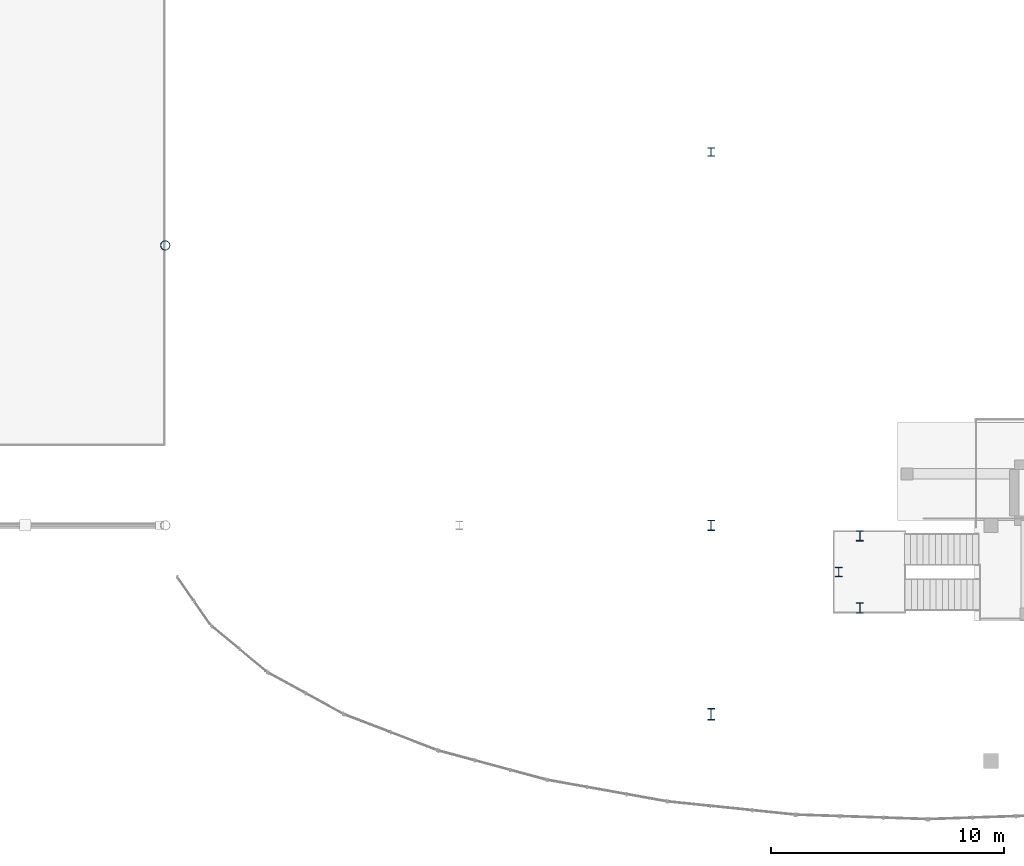
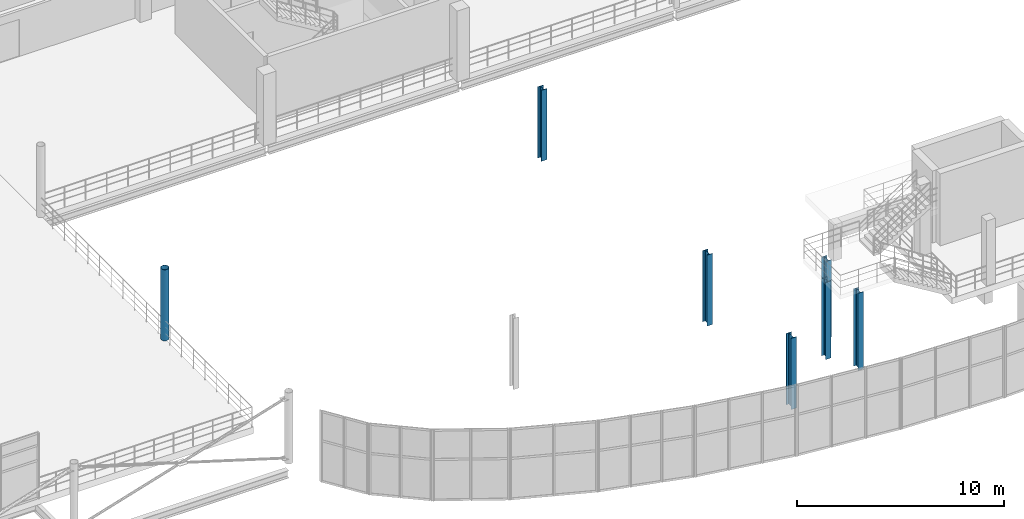
# One storey, part 6 of 89: 7 columns.
"""IFC4 building model written with IfcOpenShell, lengths in metres."""

from ifc_helpers import new_model, si_unit, direction, frame, origin, origin_2d, place, context, subcontext, project, spatial, hollow_circle, i_section, extrude, material, material_profile, profile_set, type_object, element, save


model = new_model("IFC4")

# Units and contexts
model_context = context("Model", 3, precision=1e-05, world=origin(), true_north=direction((0.0, 1.0)))
body_context = subcontext(model_context, "Body", "Model", "MODEL_VIEW")
ifc_project = project(units=[si_unit("LENGTHUNIT", "METRE"), si_unit("AREAUNIT", "SQUARE_METRE"), si_unit("VOLUMEUNIT", "CUBIC_METRE"), si_unit("PLANEANGLEUNIT", "RADIAN"), si_unit("MASSUNIT", "GRAM", prefix="KILO"), si_unit("THERMODYNAMICTEMPERATUREUNIT", "KELVIN"), si_unit("POWERUNIT", "WATT")], contexts=[model_context])

# Site, building, storey
site_placement = place(None, origin())
site = spatial("IfcSite", under=ifc_project, at=site_placement, CompositionType="ELEMENT")
building_placement = place(site_placement, origin())
building = spatial("IfcBuilding", under=site, at=building_placement, Name="Solmara Park Aquatics Centre", CompositionType="ELEMENT")
storey_placement = place(building_placement, frame((0.0, 0.0, 5.39990234375)))
storey = spatial("IfcBuildingStorey", under=building, at=storey_placement, Name="L01", CompositionType="ELEMENT", Elevation=5.39990234375)

# Columns
ifc_material = material(Name="Structural Steel S355", Category="steel")
ifc_material_profile_1 = material_profile(ifc_material, hollow_circle(Radius=0.203125, WallThickness=0.01611328125, at=origin_2d()), Name="CHS 406.4x16")
ifc_profile_set_1 = profile_set([ifc_material_profile_1], Name="Structural Steel S355")
column_type_1 = type_object("IfcColumnType", Name="STR-COL-CHS406", PredefinedType="COLUMN", material=ifc_profile_set_1)
column_1_placement = place(storey_placement, frame((96.60009765625, 24.60009765625, 0.0), z_axis=(0.0, 0.0, 1.0), x_axis=(1.0, 0.0, 0.0)))
element("IfcColumn", 1, at=column_1_placement, inside=storey, type_object=column_type_1, Name="Column L01-0385", PredefinedType="COLUMN", context=body_context, shape_type="SweptSolid", body=[
    extrude(hollow_circle(Radius=0.203125, WallThickness=0.01611328125, at=origin_2d()), origin(), (0.0, 0.0, 1.0), 4.2001953125),
])
ifc_material_profile_2 = material_profile(ifc_material, i_section(OverallWidth=0.300048828125, OverallDepth=0.39990234375, WebThickness=0.013427734375, FlangeThickness=0.02392578125, FilletRadius=0.027099609375, at=origin_2d()), Name="HEB 400")
ifc_profile_set_2 = profile_set([ifc_material_profile_2], Name="Structural Steel S355")
column_type_2 = type_object("IfcColumnType", Name="STR-COL-HEB400", PredefinedType="COLUMN", material=ifc_profile_set_2)
column_2_placement = place(storey_placement, frame((125.469970703125, 10.60009765625, -2.699951171875), z_axis=(0.0, 0.0, 1.0), x_axis=(1.0, 0.0, 0.0)))
element("IfcColumn", 2, at=column_2_placement, inside=storey, type_object=column_type_2, Name="Diving Tower Platform Stair DT-02 Half-Landing Support Column M", PredefinedType="COLUMN", context=body_context, shape_type="SweptSolid", body=[
    extrude(i_section(OverallWidth=0.300048828125, OverallDepth=0.39990234375, WebThickness=0.013427734375, FlangeThickness=0.02392578125, FilletRadius=0.027099609375, at=origin_2d()), origin(), (0.0, 0.0, 1.0), 4.56005859375),
])
ifc_material_profile_3 = material_profile(ifc_material, i_section(OverallWidth=0.300048828125, OverallDepth=0.449951171875, WebThickness=0.013916015625, FlangeThickness=0.02587890625, FilletRadius=0.027099609375, at=origin_2d()), Name="HEB 450")
ifc_profile_set_3 = profile_set([ifc_material_profile_3], Name="Structural Steel S355")
column_type_3 = type_object("IfcColumnType", Name="STR-COL-HEB450", PredefinedType="COLUMN", material=ifc_profile_set_3)
column_3_placement = place(storey_placement, frame((120.0, 12.60009765625, 0.0), z_axis=(0.0, 0.0, 1.0), x_axis=(1.0, 0.0, 0.0)))
element("IfcColumn", 3, at=column_3_placement, inside=storey, type_object=column_type_3, Name="Column L01-0407", PredefinedType="COLUMN", context=body_context, shape_type="SweptSolid", body=[
    extrude(i_section(OverallWidth=0.300048828125, OverallDepth=0.449951171875, WebThickness=0.013916015625, FlangeThickness=0.02587890625, FilletRadius=0.027099609375, at=origin_2d()), origin(), (0.0, 0.0, 1.0), 4.2001953125),
])
for number, where, z_axis, x_axis, name in (
    (4, (126.3798828125, 9.050048828125, -2.699951171875), (0.0, 0.0, 1.0), (1.0, 0.0, 0.0), "Diving Tower Platform Stair DT-02 Half-Landing Support Column S"),
    (5, (126.3798828125, 12.14990234375, -2.699951171875), (0.0, 0.0, 1.0), (1.0, 0.0, 0.0), "Diving Tower Platform Stair DT-02 Half-Landing Support Column N"),
):
    element("IfcColumn", number, at=place(storey_placement, frame(where, z_axis=z_axis, x_axis=x_axis)), inside=storey, type_object=column_type_3, Name=name, PredefinedType="COLUMN", context=body_context, shape_type="SweptSolid", body=[
        extrude(i_section(OverallWidth=0.300048828125, OverallDepth=0.449951171875, WebThickness=0.013916015625, FlangeThickness=0.02587890625, FilletRadius=0.027099609375, at=origin_2d()), origin(), (0.0, 0.0, 1.0), 4.56005859375),
    ])
ifc_material_profile_4 = material_profile(ifc_material, i_section(OverallWidth=0.300048828125, OverallDepth=0.5, WebThickness=0.014404296875, FlangeThickness=0.028076171875, FilletRadius=0.027099609375, at=origin_2d()), Name="HEB 500")
ifc_profile_set_4 = profile_set([ifc_material_profile_4], Name="Structural Steel S355")
column_type_4 = type_object("IfcColumnType", Name="STR-COL-HEB500", PredefinedType="COLUMN", material=ifc_profile_set_4)
column_4_placement = place(storey_placement, frame((120.0, 4.5, 0.0), z_axis=(0.0, 0.0, 1.0), x_axis=(1.0, 0.0, 0.0)))
element("IfcColumn", 6, at=column_4_placement, inside=storey, type_object=column_type_4, Name="Column L01-0406", PredefinedType="COLUMN", context=body_context, shape_type="SweptSolid", body=[
    extrude(i_section(OverallWidth=0.300048828125, OverallDepth=0.5, WebThickness=0.014404296875, FlangeThickness=0.028076171875, FilletRadius=0.027099609375, at=origin_2d()), origin(), (0.0, 0.0, 1.0), 4.2001953125),
])
ifc_material_profile_5 = material_profile(ifc_material, i_section(OverallWidth=0.300048828125, OverallDepth=0.360107421875, WebThickness=0.012451171875, FlangeThickness=0.0224609375, FilletRadius=0.027099609375, at=origin_2d()), Name="HEB 360")
ifc_profile_set_5 = profile_set([ifc_material_profile_5], Name="Structural Steel S355")
column_type_5 = type_object("IfcColumnType", Name="STR-PIL-HEB360", PredefinedType="PILASTER", material=ifc_profile_set_5)
column_5_placement = place(storey_placement, frame((120.0, 28.60009765625, 0.0), z_axis=(0.0, 0.0, 1.0), x_axis=(1.0, 0.0, 0.0)))
element("IfcColumn", 7, at=column_5_placement, inside=storey, type_object=column_type_5, Name="Column L01-0408", PredefinedType="PILASTER", context=body_context, shape_type="SweptSolid", body=[
    extrude(i_section(OverallWidth=0.300048828125, OverallDepth=0.360107421875, WebThickness=0.012451171875, FlangeThickness=0.0224609375, FilletRadius=0.027099609375, at=origin_2d()), origin(), (0.0, 0.0, 1.0), 4.2001953125),
])

save(model, "model.ifc")
